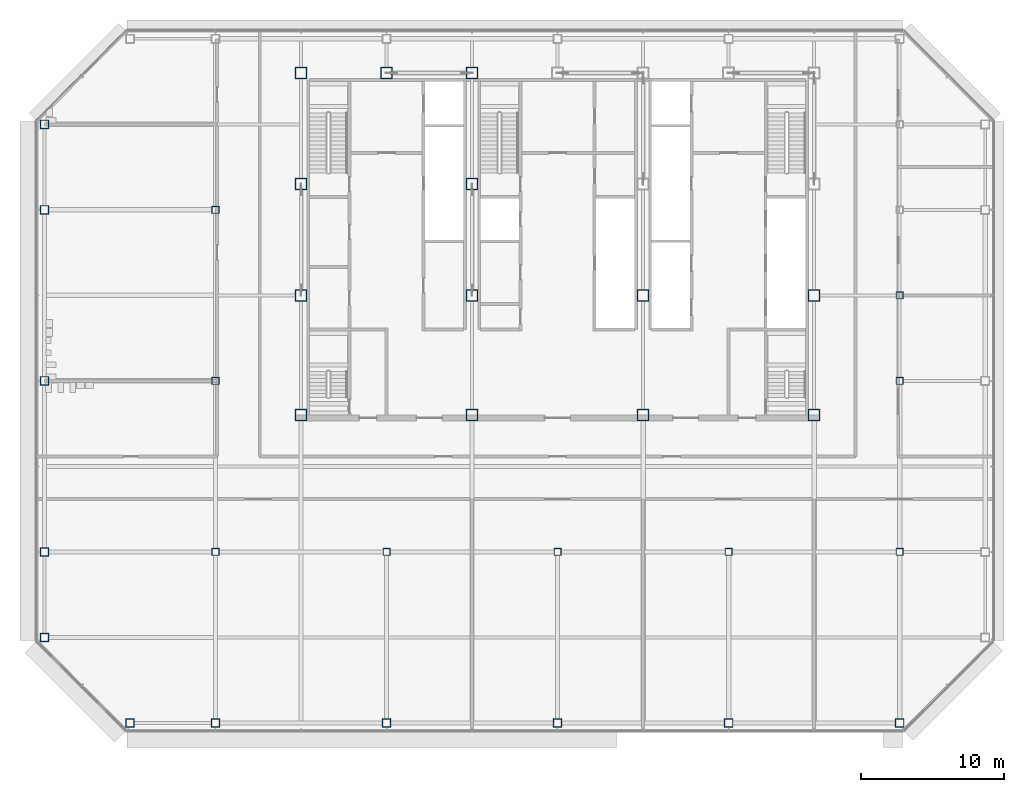
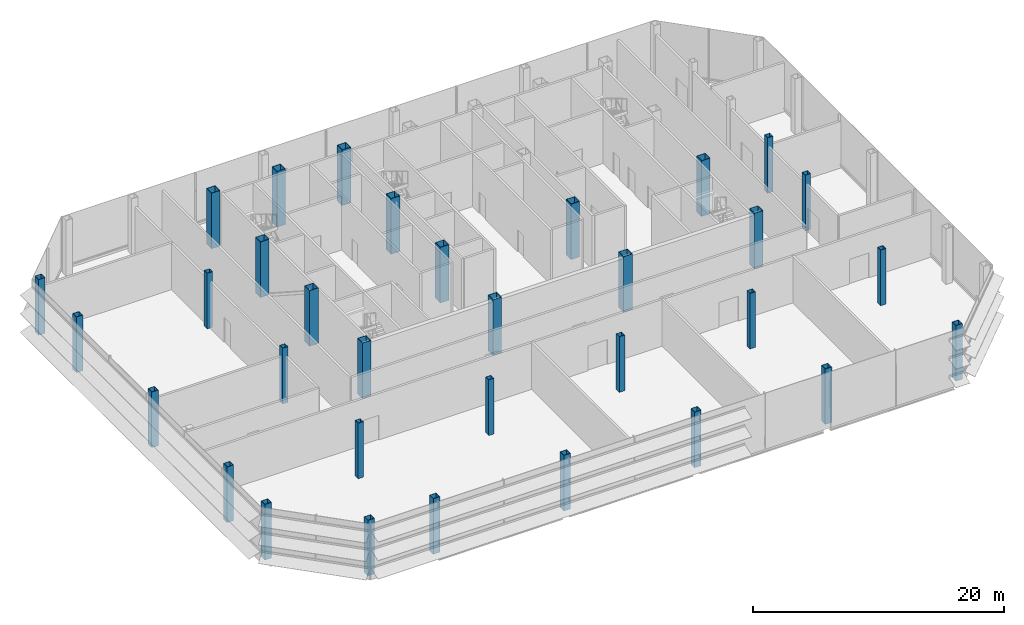
# One storey, part 1 of 26: 33 columns.
"""IFC4 building model written with IfcOpenShell, lengths in metres."""

from ifc_helpers import new_model, si_unit, direction, frame, origin, origin_2d, place, context, subcontext, project, spatial, hollow_rectangle, extrude, material, material_profile, profile_set, type_object, element, save


model = new_model("IFC4")

# Units and contexts
model_context = context("Model", 3, precision=1e-05, world=origin(), true_north=direction((0.0, 1.0)))
body_context = subcontext(model_context, "Body", "Model", "MODEL_VIEW")
ifc_project = project(units=[si_unit("LENGTHUNIT", "METRE"), si_unit("AREAUNIT", "SQUARE_METRE"), si_unit("VOLUMEUNIT", "CUBIC_METRE"), si_unit("PLANEANGLEUNIT", "RADIAN"), si_unit("MASSUNIT", "GRAM", prefix="KILO")], contexts=[model_context])

# Site, building, storey
site_placement = place(None, origin())
site = spatial("IfcSite", under=ifc_project, at=site_placement, CompositionType="ELEMENT")
building_placement = place(site_placement, origin())
building = spatial("IfcBuilding", under=site, at=building_placement, Name="Sorahane Residences", CompositionType="ELEMENT")
storey_placement = place(building_placement, frame((0.0, 0.0, 257.60009765625)))
storey = spatial("IfcBuildingStorey", under=building, at=storey_placement, Name="L61", CompositionType="ELEMENT", Elevation=257.60009765625)

# Columns
ifc_material_1 = material(Name="Steel Q355B", Category="steel")
ifc_material_profile_1 = material_profile(ifc_material_1, hollow_rectangle(XDim=0.5, YDim=0.5, WallThickness=0.02490234375, at=origin_2d()), Name="BOX 500x500x25")
ifc_profile_set_1 = profile_set([ifc_material_profile_1], Name="Steel Q355B")
column_type_1 = type_object("IfcColumnType", Name="Steel box column BOX 500x500x25 Q355B", PredefinedType="COLUMN", material=ifc_profile_set_1)
for number, where, z_axis, x_axis, name in (
    (1, (0.0, 12.0, 0.0), (0.0, 0.0, 1.0), (1.0, 0.0, 0.0), "Column L61 0/12"),
    (2, (0.0, 24.0, 0.0), (0.0, 0.0, 1.0), (1.0, 0.0, 0.0), "Column L61 0/24"),
    (3, (0.0, 36.0, 0.0), (0.0, 0.0, 1.0), (1.0, 0.0, 0.0), "Column L61 0/36"),
    (4, (12.0, 12.0, 0.0), (0.0, 0.0, 1.0), (1.0, 0.0, 0.0), "Column L61 12/12"),
    (5, (24.0, 12.0, 0.0), (0.0, 0.0, 1.0), (1.0, 0.0, 0.0), "Column L61 24/12"),
    (6, (36.0, 12.0, 0.0), (0.0, 0.0, 1.0), (1.0, 0.0, 0.0), "Column L61 36/12"),
    (7, (48.0, 12.0, 0.0), (0.0, 0.0, 1.0), (1.0, 0.0, 0.0), "Column L61 48/12"),
    (8, (48.0, 24.0, 0.0), (0.0, 0.0, 1.0), (1.0, 0.0, 0.0), "Column L61 48/24"),
    (9, (48.0, 30.0, 0.0), (0.0, 0.0, 1.0), (1.0, 0.0, 0.0), "Column L61 48/30"),
):
    element("IfcColumn", number, at=place(storey_placement, frame(where, z_axis=z_axis, x_axis=x_axis)), inside=storey, type_object=column_type_1, Name=name, PredefinedType="COLUMN", context=body_context, shape_type="SweptSolid", body=[
        extrude(hollow_rectangle(XDim=0.5, YDim=0.5, WallThickness=0.02490234375, at=origin_2d()), origin(), (0.0, 0.0, 1.0), 5.39990234375),
    ])
ifc_material_2 = material(Name="Steel Q355B", Category="steel")
ifc_material_profile_2 = material_profile(ifc_material_2, hollow_rectangle(XDim=0.60009765625, YDim=0.60009765625, WallThickness=0.028076171875, at=origin_2d()), Name="BOX 600x600x28")
ifc_profile_set_2 = profile_set([ifc_material_profile_2], Name="Steel Q355B")
column_type_2 = type_object("IfcColumnType", Name="Steel box column BOX 600x600x28 Q355B", PredefinedType="COLUMN", material=ifc_profile_set_2)
for number, where, z_axis, x_axis, name in (
    (10, (-12.0, 6.0, 0.0), (0.0, 0.0, 1.0), (1.0, 0.0, 0.0), "Column L61 m12/6"),
    (11, (-12.0, 12.0, 0.0), (0.0, 0.0, 1.0), (1.0, 0.0, 0.0), "Column L61 m12/12"),
    (12, (-12.0, 24.0, 0.0), (0.0, 0.0, 1.0), (1.0, 0.0, 0.0), "Column L61 m12/24"),
    (13, (-12.0, 36.0, 0.0), (0.0, 0.0, 1.0), (1.0, 0.0, 0.0), "Column L61 m12/36"),
    (14, (-12.0, 42.0, 0.0), (0.0, 0.0, 1.0), (1.0, 0.0, 0.0), "Column L61 m12/42"),
    (15, (-6.0, 0.0, 0.0), (0.0, 0.0, 1.0), (1.0, 0.0, 0.0), "Column L61 m6/0"),
    (16, (0.0, 0.0, 0.0), (0.0, 0.0, 1.0), (1.0, 0.0, 0.0), "Column L61 0/0"),
    (17, (12.0, 0.0, 0.0), (0.0, 0.0, 1.0), (1.0, 0.0, 0.0), "Column L61 12/0"),
    (18, (24.0, 0.0, 0.0), (0.0, 0.0, 1.0), (1.0, 0.0, 0.0), "Column L61 24/0"),
    (19, (36.0, 0.0, 0.0), (0.0, 0.0, 1.0), (1.0, 0.0, 0.0), "Column L61 36/0"),
    (20, (48.0, 0.0, 0.0), (0.0, 0.0, 1.0), (1.0, 0.0, 0.0), "Column L61 48/0"),
):
    element("IfcColumn", number, at=place(storey_placement, frame(where, z_axis=z_axis, x_axis=x_axis)), inside=storey, type_object=column_type_2, Name=name, PredefinedType="COLUMN", context=body_context, shape_type="SweptSolid", body=[
        extrude(hollow_rectangle(XDim=0.60009765625, YDim=0.60009765625, WallThickness=0.028076171875, at=origin_2d()), origin(), (0.0, 0.0, 1.0), 5.39990234375),
    ])
ifc_material_3 = material(Name="Steel Q355B", Category="steel")
ifc_material_profile_3 = material_profile(ifc_material_3, hollow_rectangle(XDim=0.800048828125, YDim=0.800048828125, WallThickness=0.031982421875, at=origin_2d()), Name="BOX 800x800x32")
ifc_profile_set_3 = profile_set([ifc_material_profile_3], Name="Steel Q355B")
column_type_3 = type_object("IfcColumnType", Name="Steel box column BOX 800x800x32 Q355B", PredefinedType="COLUMN", material=ifc_profile_set_3)
for number, where, z_axis, x_axis, name in (
    (21, (6.0, 21.60009765625, 0.0), (0.0, 0.0, 1.0), (1.0, 0.0, 0.0), "Column L61 6/21.6"),
    (22, (6.0, 30.0, 0.0), (0.0, 0.0, 1.0), (1.0, 0.0, 0.0), "Column L61 6/30"),
    (23, (6.0, 37.800048828125, 0.0), (0.0, 0.0, 1.0), (1.0, 0.0, 0.0), "Column L61 6/37.8"),
    (24, (6.0, 45.60009765625, 0.0), (0.0, 0.0, 1.0), (1.0, 0.0, 0.0), "Column L61 6/45.6"),
    (25, (12.0, 45.60009765625, 0.0), (0.0, 0.0, 1.0), (1.0, 0.0, 0.0), "Column L61 12/45.6"),
    (26, (18.0, 21.60009765625, 0.0), (0.0, 0.0, 1.0), (1.0, 0.0, 0.0), "Column L61 18/21.6"),
    (27, (18.0, 30.0, 0.0), (0.0, 0.0, 1.0), (1.0, 0.0, 0.0), "Column L61 18/30"),
    (28, (18.0, 37.800048828125, 0.0), (0.0, 0.0, 1.0), (1.0, 0.0, 0.0), "Column L61 18/37.8"),
    (29, (18.0, 45.60009765625, 0.0), (0.0, 0.0, 1.0), (1.0, 0.0, 0.0), "Column L61 18/45.6"),
    (30, (30.0, 21.60009765625, 0.0), (0.0, 0.0, 1.0), (1.0, 0.0, 0.0), "Column L61 30/21.6"),
    (31, (30.0, 30.0, 0.0), (0.0, 0.0, 1.0), (1.0, 0.0, 0.0), "Column L61 30/30"),
    (32, (42.0, 21.60009765625, 0.0), (0.0, 0.0, 1.0), (1.0, 0.0, 0.0), "Column L61 42/21.6"),
    (33, (42.0, 30.0, 0.0), (0.0, 0.0, 1.0), (1.0, 0.0, 0.0), "Column L61 42/30"),
):
    element("IfcColumn", number, at=place(storey_placement, frame(where, z_axis=z_axis, x_axis=x_axis)), inside=storey, type_object=column_type_3, Name=name, PredefinedType="COLUMN", context=body_context, shape_type="SweptSolid", body=[
        extrude(hollow_rectangle(XDim=0.800048828125, YDim=0.800048828125, WallThickness=0.031982421875, at=origin_2d()), origin(), (0.0, 0.0, 1.0), 5.39990234375),
    ])

save(model, "model.ifc")
